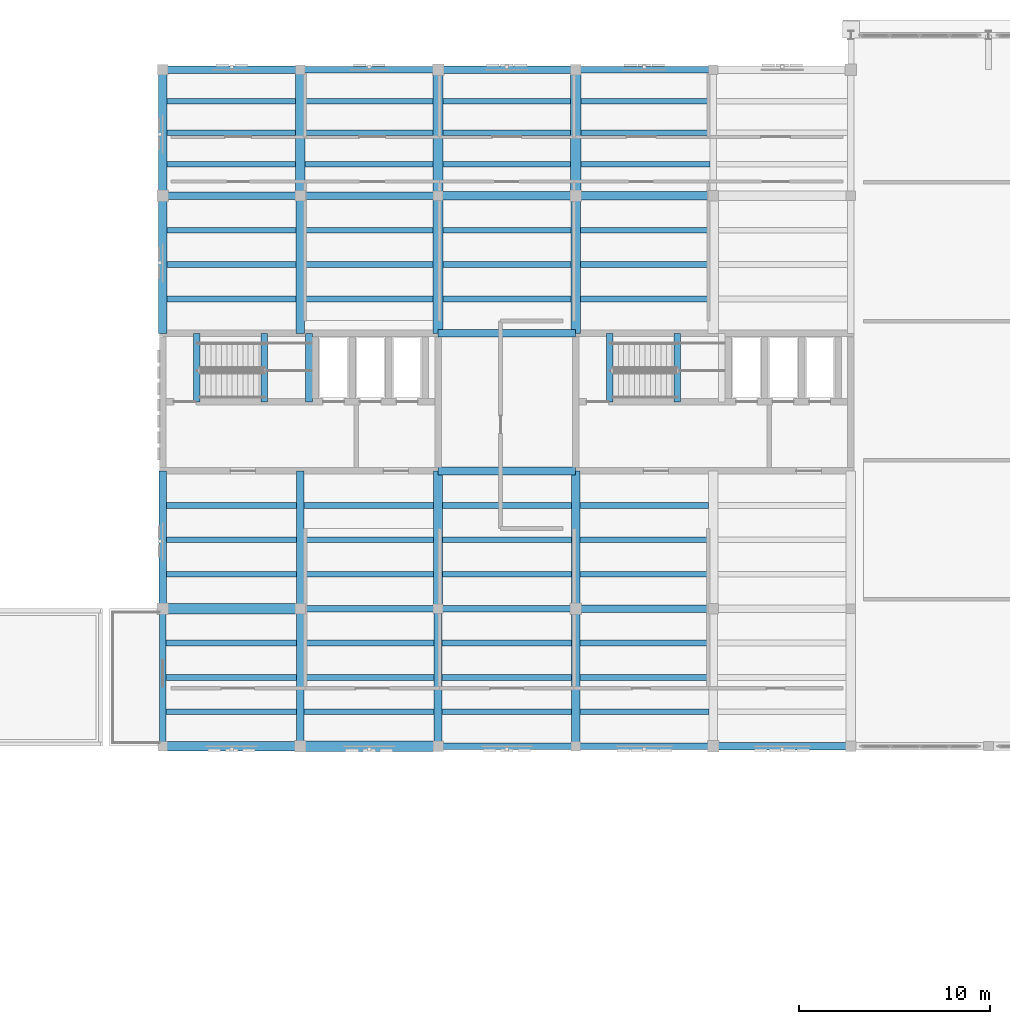
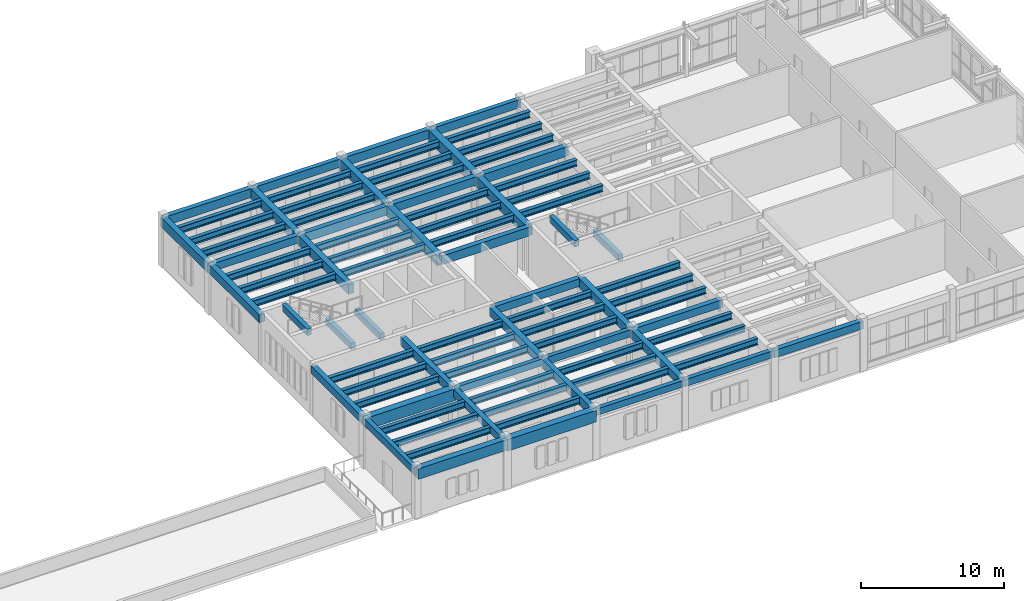
# One storey, part 3 of 18: 88 beams.
"""IFC4 building model written with IfcOpenShell, lengths in metres."""

from ifc_helpers import new_model, si_unit, direction, frame, origin, origin_2d, place, context, subcontext, project, spatial, rectangle, i_section, extrude, material, material_profile, profile_set, type_object, element, save


model = new_model("IFC4")

# Units and contexts
model_context = context("Model", 3, precision=1e-05, world=origin(), true_north=direction((0.0, 1.0)))
body_context = subcontext(model_context, "Body", "Model", "MODEL_VIEW")
ifc_project = project(units=[si_unit("LENGTHUNIT", "METRE"), si_unit("AREAUNIT", "SQUARE_METRE"), si_unit("VOLUMEUNIT", "CUBIC_METRE"), si_unit("PLANEANGLEUNIT", "RADIAN"), si_unit("MASSUNIT", "GRAM", prefix="KILO")], contexts=[model_context])

# Site, building, storey
site_placement = place(None, origin())
site = spatial("IfcSite", under=ifc_project, at=site_placement, CompositionType="ELEMENT")
building_placement = place(site_placement, origin())
building = spatial("IfcBuilding", under=site, at=building_placement, Name="Mithqara Police Headquarters", CompositionType="ELEMENT")
storey_placement = place(building_placement, frame((0.0, 0.0, 26.39990234375)))
storey = spatial("IfcBuildingStorey", under=building, at=storey_placement, Name="L06", CompositionType="ELEMENT", Elevation=26.39990234375)

# Beams
ifc_material_1 = material(Name="Steel S355JR", Category="steel")
ifc_material_profile_1 = material_profile(ifc_material_1, i_section(OverallWidth=0.300048828125, OverallDepth=0.550048828125, WebThickness=0.014892578125, FlangeThickness=0.029052734375, FilletRadius=0.027099609375, at=origin_2d()), Name="HEB 550")
ifc_profile_set_1 = profile_set([ifc_material_profile_1], Name="Steel S355JR")
beam_type_1 = type_object("IfcBeamType", Name="BEAM HEB550", PredefinedType="BEAM", material=ifc_profile_set_1)
for number, where, z_axis, x_axis, name in (
    (1, (108.77490234375, 80.39990234375, 3.945068359375), (1.0, 0.0, 0.0), (0.0, 1.0, 0.0), "L06 Composite Steel Joist 16-17/M.1"),
    (2, (108.77490234375, 82.199951171875, 3.945068359375), (1.0, 0.0, 0.0), (0.0, 1.0, 0.0), "L06 Composite Steel Joist 16-17/M.2"),
    (3, (108.77490234375, 84.0, 3.945068359375), (1.0, 0.0, 0.0), (0.0, 1.0, 0.0), "L06 Composite Steel Joist 16-17/M.3"),
):
    element("IfcBeam", number, at=place(storey_placement, frame(where, z_axis=z_axis, x_axis=x_axis)), inside=storey, type_object=beam_type_1, Name=name, PredefinedType="BEAM", context=body_context, shape_type="SweptSolid", body=[
        extrude(i_section(OverallWidth=0.300048828125, OverallDepth=0.550048828125, WebThickness=0.014892578125, FlangeThickness=0.029052734375, FilletRadius=0.027099609375, at=origin_2d()), origin(), (0.0, 0.0, 1.0), 6.8251953125),
    ])
for number, where, z_axis, x_axis, name in (
    (4, (108.800048828125, 87.60009765625, 3.945068359375), (1.0, 0.0, 0.0), (0.0, 1.0, 0.0), "L06 Composite Steel Joist 16-17/N.1"),
    (5, (108.800048828125, 89.39990234375, 3.945068359375), (1.0, 0.0, 0.0), (0.0, 1.0, 0.0), "L06 Composite Steel Joist 16-17/N.2"),
    (6, (108.800048828125, 91.199951171875, 3.945068359375), (1.0, 0.0, 0.0), (0.0, 1.0, 0.0), "L06 Composite Steel Joist 16-17/N.3"),
):
    element("IfcBeam", number, at=place(storey_placement, frame(where, z_axis=z_axis, x_axis=x_axis)), inside=storey, type_object=beam_type_1, Name=name, PredefinedType="BEAM", context=body_context, shape_type="SweptSolid", body=[
        extrude(i_section(OverallWidth=0.300048828125, OverallDepth=0.550048828125, WebThickness=0.014892578125, FlangeThickness=0.029052734375, FilletRadius=0.027099609375, at=origin_2d()), origin(), (0.0, 0.0, 1.0), 6.800048828125),
    ])
for number, where, z_axis, x_axis, name in (
    (7, (108.824951171875, 102.0, 3.945068359375), (1.0, 0.0, 0.0), (0.0, 1.0, 0.0), "L06 Composite Steel Joist 16-17/Q.1"),
    (8, (108.824951171875, 103.800048828125, 3.945068359375), (1.0, 0.0, 0.0), (0.0, 1.0, 0.0), "L06 Composite Steel Joist 16-17/Q.2"),
    (9, (108.824951171875, 105.60009765625, 3.945068359375), (1.0, 0.0, 0.0), (0.0, 1.0, 0.0), "L06 Composite Steel Joist 16-17/Q.3"),
):
    element("IfcBeam", number, at=place(storey_placement, frame(where, z_axis=z_axis, x_axis=x_axis)), inside=storey, type_object=beam_type_1, Name=name, PredefinedType="BEAM", context=body_context, shape_type="SweptSolid", body=[
        extrude(i_section(OverallWidth=0.300048828125, OverallDepth=0.550048828125, WebThickness=0.014892578125, FlangeThickness=0.029052734375, FilletRadius=0.027099609375, at=origin_2d()), origin(), (0.0, 0.0, 1.0), 6.75),
    ])
for number, where, z_axis, x_axis, name in (
    (10, (108.824951171875, 109.050048828125, 3.945068359375), (1.0, 0.0, 0.0), (0.0, 1.0, 0.0), "L06 Composite Steel Joist 16-17/R.1"),
    (11, (108.824951171875, 110.699951171875, 3.945068359375), (1.0, 0.0, 0.0), (0.0, 1.0, 0.0), "L06 Composite Steel Joist 16-17/R.2"),
    (12, (108.824951171875, 112.35009765625, 3.945068359375), (1.0, 0.0, 0.0), (0.0, 1.0, 0.0), "L06 Composite Steel Joist 16-17/R.3"),
):
    element("IfcBeam", number, at=place(storey_placement, frame(where, z_axis=z_axis, x_axis=x_axis)), inside=storey, type_object=beam_type_1, Name=name, PredefinedType="BEAM", context=body_context, shape_type="SweptSolid", body=[
        extrude(i_section(OverallWidth=0.300048828125, OverallDepth=0.550048828125, WebThickness=0.014892578125, FlangeThickness=0.029052734375, FilletRadius=0.027099609375, at=origin_2d()), origin(), (0.0, 0.0, 1.0), 6.72509765625),
    ])
for number, where, z_axis, x_axis, name in (
    (13, (116.0, 80.39990234375, 3.945068359375), (1.0, 0.0, 0.0), (0.0, 1.0, 0.0), "L06 Composite Steel Joist 17-18/M.1"),
    (14, (116.0, 82.199951171875, 3.945068359375), (1.0, 0.0, 0.0), (0.0, 1.0, 0.0), "L06 Composite Steel Joist 17-18/M.2"),
    (15, (116.0, 84.0, 3.945068359375), (1.0, 0.0, 0.0), (0.0, 1.0, 0.0), "L06 Composite Steel Joist 17-18/M.3"),
):
    element("IfcBeam", number, at=place(storey_placement, frame(where, z_axis=z_axis, x_axis=x_axis)), inside=storey, type_object=beam_type_1, Name=name, PredefinedType="BEAM", context=body_context, shape_type="SweptSolid", body=[
        extrude(i_section(OverallWidth=0.300048828125, OverallDepth=0.550048828125, WebThickness=0.014892578125, FlangeThickness=0.029052734375, FilletRadius=0.027099609375, at=origin_2d()), origin(), (0.0, 0.0, 1.0), 6.800048828125),
    ])
for number, where, z_axis, x_axis, name in (
    (16, (116.0, 87.60009765625, 3.945068359375), (1.0, 0.0, 0.0), (0.0, 1.0, 0.0), "L06 Composite Steel Joist 17-18/N.1"),
    (17, (116.0, 89.39990234375, 3.945068359375), (1.0, 0.0, 0.0), (0.0, 1.0, 0.0), "L06 Composite Steel Joist 17-18/N.2"),
    (18, (116.0, 91.199951171875, 3.945068359375), (1.0, 0.0, 0.0), (0.0, 1.0, 0.0), "L06 Composite Steel Joist 17-18/N.3"),
):
    element("IfcBeam", number, at=place(storey_placement, frame(where, z_axis=z_axis, x_axis=x_axis)), inside=storey, type_object=beam_type_1, Name=name, PredefinedType="BEAM", context=body_context, shape_type="SweptSolid", body=[
        extrude(i_section(OverallWidth=0.300048828125, OverallDepth=0.550048828125, WebThickness=0.014892578125, FlangeThickness=0.029052734375, FilletRadius=0.027099609375, at=origin_2d()), origin(), (0.0, 0.0, 1.0), 6.77490234375),
    ])
for number, where, z_axis, x_axis, name in (
    (19, (116.02490234375, 102.0, 3.945068359375), (1.0, 0.0, 0.0), (0.0, 1.0, 0.0), "L06 Composite Steel Joist 17-18/Q.1"),
    (20, (116.02490234375, 103.800048828125, 3.945068359375), (1.0, 0.0, 0.0), (0.0, 1.0, 0.0), "L06 Composite Steel Joist 17-18/Q.2"),
    (21, (116.02490234375, 105.60009765625, 3.945068359375), (1.0, 0.0, 0.0), (0.0, 1.0, 0.0), "L06 Composite Steel Joist 17-18/Q.3"),
):
    element("IfcBeam", number, at=place(storey_placement, frame(where, z_axis=z_axis, x_axis=x_axis)), inside=storey, type_object=beam_type_1, Name=name, PredefinedType="BEAM", context=body_context, shape_type="SweptSolid", body=[
        extrude(i_section(OverallWidth=0.300048828125, OverallDepth=0.550048828125, WebThickness=0.014892578125, FlangeThickness=0.029052734375, FilletRadius=0.027099609375, at=origin_2d()), origin(), (0.0, 0.0, 1.0), 6.72509765625),
    ])
for number, where, z_axis, x_axis, name in (
    (22, (116.050048828125, 109.050048828125, 3.945068359375), (1.0, 0.0, 0.0), (0.0, 1.0, 0.0), "L06 Composite Steel Joist 17-18/R.1"),
    (23, (116.050048828125, 110.699951171875, 3.945068359375), (1.0, 0.0, 0.0), (0.0, 1.0, 0.0), "L06 Composite Steel Joist 17-18/R.2"),
    (24, (116.050048828125, 112.35009765625, 3.945068359375), (1.0, 0.0, 0.0), (0.0, 1.0, 0.0), "L06 Composite Steel Joist 17-18/R.3"),
):
    element("IfcBeam", number, at=place(storey_placement, frame(where, z_axis=z_axis, x_axis=x_axis)), inside=storey, type_object=beam_type_1, Name=name, PredefinedType="BEAM", context=body_context, shape_type="SweptSolid", body=[
        extrude(i_section(OverallWidth=0.300048828125, OverallDepth=0.550048828125, WebThickness=0.014892578125, FlangeThickness=0.029052734375, FilletRadius=0.027099609375, at=origin_2d()), origin(), (0.0, 0.0, 1.0), 6.699951171875),
    ])
for number, where, z_axis, x_axis, name in (
    (25, (123.199951171875, 80.39990234375, 3.945068359375), (1.0, 0.0, 0.0), (0.0, 1.0, 0.0), "L06 Composite Steel Joist 18-19/M.1"),
    (26, (123.199951171875, 82.199951171875, 3.945068359375), (1.0, 0.0, 0.0), (0.0, 1.0, 0.0), "L06 Composite Steel Joist 18-19/M.2"),
    (27, (123.199951171875, 84.0, 3.945068359375), (1.0, 0.0, 0.0), (0.0, 1.0, 0.0), "L06 Composite Steel Joist 18-19/M.3"),
):
    element("IfcBeam", number, at=place(storey_placement, frame(where, z_axis=z_axis, x_axis=x_axis)), inside=storey, type_object=beam_type_1, Name=name, PredefinedType="BEAM", context=body_context, shape_type="SweptSolid", body=[
        extrude(i_section(OverallWidth=0.300048828125, OverallDepth=0.550048828125, WebThickness=0.014892578125, FlangeThickness=0.029052734375, FilletRadius=0.027099609375, at=origin_2d()), origin(), (0.0, 0.0, 1.0), 6.775146484375),
    ])
for number, where, z_axis, x_axis, name in (
    (28, (123.22509765625, 87.60009765625, 3.945068359375), (1.0, 0.0, 0.0), (0.0, 1.0, 0.0), "L06 Composite Steel Joist 18-19/N.1"),
    (29, (123.22509765625, 89.39990234375, 3.945068359375), (1.0, 0.0, 0.0), (0.0, 1.0, 0.0), "L06 Composite Steel Joist 18-19/N.2"),
    (30, (123.22509765625, 91.199951171875, 3.945068359375), (1.0, 0.0, 0.0), (0.0, 1.0, 0.0), "L06 Composite Steel Joist 18-19/N.3"),
):
    element("IfcBeam", number, at=place(storey_placement, frame(where, z_axis=z_axis, x_axis=x_axis)), inside=storey, type_object=beam_type_1, Name=name, PredefinedType="BEAM", context=body_context, shape_type="SweptSolid", body=[
        extrude(i_section(OverallWidth=0.300048828125, OverallDepth=0.550048828125, WebThickness=0.014892578125, FlangeThickness=0.029052734375, FilletRadius=0.027099609375, at=origin_2d()), origin(), (0.0, 0.0, 1.0), 6.75),
    ])
for number, where, z_axis, x_axis, name in (
    (31, (123.25, 102.0, 3.945068359375), (1.0, 0.0, 0.0), (0.0, 1.0, 0.0), "L06 Composite Steel Joist 18-19/Q.1"),
    (32, (123.25, 103.800048828125, 3.945068359375), (1.0, 0.0, 0.0), (0.0, 1.0, 0.0), "L06 Composite Steel Joist 18-19/Q.2"),
    (33, (123.25, 105.60009765625, 3.945068359375), (1.0, 0.0, 0.0), (0.0, 1.0, 0.0), "L06 Composite Steel Joist 18-19/Q.3"),
):
    element("IfcBeam", number, at=place(storey_placement, frame(where, z_axis=z_axis, x_axis=x_axis)), inside=storey, type_object=beam_type_1, Name=name, PredefinedType="BEAM", context=body_context, shape_type="SweptSolid", body=[
        extrude(i_section(OverallWidth=0.300048828125, OverallDepth=0.550048828125, WebThickness=0.014892578125, FlangeThickness=0.029052734375, FilletRadius=0.027099609375, at=origin_2d()), origin(), (0.0, 0.0, 1.0), 6.699951171875),
    ])
for number, where, z_axis, x_axis, name in (
    (34, (123.25, 109.050048828125, 3.945068359375), (1.0, 0.0, 0.0), (0.0, 1.0, 0.0), "L06 Composite Steel Joist 18-19/R.1"),
    (35, (123.25, 110.699951171875, 3.945068359375), (1.0, 0.0, 0.0), (0.0, 1.0, 0.0), "L06 Composite Steel Joist 18-19/R.2"),
    (36, (123.25, 112.35009765625, 3.945068359375), (1.0, 0.0, 0.0), (0.0, 1.0, 0.0), "L06 Composite Steel Joist 18-19/R.3"),
):
    element("IfcBeam", number, at=place(storey_placement, frame(where, z_axis=z_axis, x_axis=x_axis)), inside=storey, type_object=beam_type_1, Name=name, PredefinedType="BEAM", context=body_context, shape_type="SweptSolid", body=[
        extrude(i_section(OverallWidth=0.300048828125, OverallDepth=0.550048828125, WebThickness=0.014892578125, FlangeThickness=0.029052734375, FilletRadius=0.027099609375, at=origin_2d()), origin(), (0.0, 0.0, 1.0), 6.675048828125),
    ])
for number, where, z_axis, x_axis, name in (
    (37, (130.425048828125, 80.39990234375, 3.945068359375), (1.0, 0.0, 0.0), (0.0, 1.0, 0.0), "L06 Composite Steel Joist 19-20/M.1"),
    (38, (130.425048828125, 82.199951171875, 3.945068359375), (1.0, 0.0, 0.0), (0.0, 1.0, 0.0), "L06 Composite Steel Joist 19-20/M.2"),
    (39, (130.425048828125, 84.0, 3.945068359375), (1.0, 0.0, 0.0), (0.0, 1.0, 0.0), "L06 Composite Steel Joist 19-20/M.3"),
):
    element("IfcBeam", number, at=place(storey_placement, frame(where, z_axis=z_axis, x_axis=x_axis)), inside=storey, type_object=beam_type_1, Name=name, PredefinedType="BEAM", context=body_context, shape_type="SweptSolid", body=[
        extrude(i_section(OverallWidth=0.300048828125, OverallDepth=0.550048828125, WebThickness=0.014892578125, FlangeThickness=0.029052734375, FilletRadius=0.027099609375, at=origin_2d()), origin(), (0.0, 0.0, 1.0), 6.75),
    ])
for number, where, z_axis, x_axis, name in (
    (40, (130.425048828125, 87.60009765625, 3.945068359375), (1.0, 0.0, 0.0), (0.0, 1.0, 0.0), "L06 Composite Steel Joist 19-20/N.1"),
    (41, (130.425048828125, 89.39990234375, 3.945068359375), (1.0, 0.0, 0.0), (0.0, 1.0, 0.0), "L06 Composite Steel Joist 19-20/N.2"),
    (42, (130.425048828125, 91.199951171875, 3.945068359375), (1.0, 0.0, 0.0), (0.0, 1.0, 0.0), "L06 Composite Steel Joist 19-20/N.3"),
):
    element("IfcBeam", number, at=place(storey_placement, frame(where, z_axis=z_axis, x_axis=x_axis)), inside=storey, type_object=beam_type_1, Name=name, PredefinedType="BEAM", context=body_context, shape_type="SweptSolid", body=[
        extrude(i_section(OverallWidth=0.300048828125, OverallDepth=0.550048828125, WebThickness=0.014892578125, FlangeThickness=0.029052734375, FilletRadius=0.027099609375, at=origin_2d()), origin(), (0.0, 0.0, 1.0), 6.724853515625),
    ])
for number, where, z_axis, x_axis, name in (
    (43, (130.449951171875, 102.0, 3.945068359375), (1.0, 0.0, 0.0), (0.0, 1.0, 0.0), "L06 Composite Steel Joist 19-20/Q.1"),
    (44, (130.449951171875, 103.800048828125, 3.945068359375), (1.0, 0.0, 0.0), (0.0, 1.0, 0.0), "L06 Composite Steel Joist 19-20/Q.2"),
    (45, (130.449951171875, 105.60009765625, 3.945068359375), (1.0, 0.0, 0.0), (0.0, 1.0, 0.0), "L06 Composite Steel Joist 19-20/Q.3"),
):
    element("IfcBeam", number, at=place(storey_placement, frame(where, z_axis=z_axis, x_axis=x_axis)), inside=storey, type_object=beam_type_1, Name=name, PredefinedType="BEAM", context=body_context, shape_type="SweptSolid", body=[
        extrude(i_section(OverallWidth=0.300048828125, OverallDepth=0.550048828125, WebThickness=0.014892578125, FlangeThickness=0.029052734375, FilletRadius=0.027099609375, at=origin_2d()), origin(), (0.0, 0.0, 1.0), 6.675048828125),
    ])
for number, where, z_axis, x_axis, name in (
    (46, (130.47509765625, 109.050048828125, 3.945068359375), (1.0, 0.0, 0.0), (0.0, 1.0, 0.0), "L06 Composite Steel Joist 19-20/R.1"),
    (47, (130.47509765625, 110.699951171875, 3.945068359375), (1.0, 0.0, 0.0), (0.0, 1.0, 0.0), "L06 Composite Steel Joist 19-20/R.2"),
    (48, (130.47509765625, 112.35009765625, 3.945068359375), (1.0, 0.0, 0.0), (0.0, 1.0, 0.0), "L06 Composite Steel Joist 19-20/R.3"),
):
    element("IfcBeam", number, at=place(storey_placement, frame(where, z_axis=z_axis, x_axis=x_axis)), inside=storey, type_object=beam_type_1, Name=name, PredefinedType="BEAM", context=body_context, shape_type="SweptSolid", body=[
        extrude(i_section(OverallWidth=0.300048828125, OverallDepth=0.550048828125, WebThickness=0.014892578125, FlangeThickness=0.029052734375, FilletRadius=0.027099609375, at=origin_2d()), origin(), (0.0, 0.0, 1.0), 6.75),
    ])
ifc_material_2 = material(Name="Concrete C40/50", Category="concrete")
ifc_material_profile_2 = material_profile(ifc_material_2, rectangle(XDim=0.35009765625, YDim=0.550048828125, at=origin_2d()), Name="RC 350x550")
ifc_profile_set_2 = profile_set([ifc_material_profile_2], Name="Concrete C40/50")
beam_type_2 = type_object("IfcBeamType", Name="BEAM RC350X550", PredefinedType="BEAM", material=ifc_profile_set_2)
for number, where, z_axis, x_axis, name in (
    (49, (115.800048828125, 85.800048828125, 3.945068359375), (1.0, 0.0, 0.0), (0.0, 1.0, 0.0), "L06 Girder 17-18/N"),
    (50, (123.0, 78.60009765625, 3.945068359375), (1.0, 0.0, 0.0), (0.0, 1.0, 0.0), "L06 Girder 18-19/M"),
):
    element("IfcBeam", number, at=place(storey_placement, frame(where, z_axis=z_axis, x_axis=x_axis)), inside=storey, type_object=beam_type_2, Name=name, PredefinedType="BEAM", context=body_context, shape_type="SweptSolid", body=[
        extrude(rectangle(XDim=0.35009765625, YDim=0.550048828125, at=origin_2d()), origin(), (0.0, 0.0, 1.0), 7.199951171875),
    ])
for number, where, z_axis, x_axis, name in (
    (51, (113.909912109375, 96.6201171875, 1.78515625), (0.0, 1.0, 0.0), (-1.0, 0.0, 0.0), "L06 ST-01 Half-Landing Bearer LF"),
    (52, (116.25, 96.6201171875, 1.78515625), (0.0, 1.0, 0.0), (-1.0, 0.0, 0.0), "L06 ST-01 Half-Landing Bearer LB"),
    (53, (110.376953125, 96.6201171875, 4.22509765625), (0.0, 1.0, 0.0), (-1.0, 0.0, 0.0), "L06 ST-01 Stairwell Trimmer Beam"),
    (54, (135.510009765625, 96.6201171875, 1.78515625), (0.0, 1.0, 0.0), (-1.0, 0.0, 0.0), "L06 ST-02 Half-Landing Bearer LF"),
    (55, (131.97705078125, 96.6201171875, 4.22509765625), (0.0, 1.0, 0.0), (-1.0, 0.0, 0.0), "L06 ST-02 Stairwell Trimmer Beam"),
):
    element("IfcBeam", number, at=place(storey_placement, frame(where, z_axis=z_axis, x_axis=x_axis)), inside=storey, type_object=beam_type_2, Name=name, PredefinedType="BEAM", context=body_context, shape_type="SweptSolid", body=[
        extrude(rectangle(XDim=0.35009765625, YDim=0.550048828125, at=origin_2d()), origin(), (0.0, 0.0, 1.0), 3.579833984375),
    ])
ifc_material_profile_3 = material_profile(ifc_material_2, rectangle(XDim=0.35009765625, YDim=0.60009765625, at=origin_2d()), Name="RC 350x600")
ifc_profile_set_3 = profile_set([ifc_material_profile_3], Name="Concrete C40/50")
beam_type_3 = type_object("IfcBeamType", Name="BEAM RC350X600", PredefinedType="BEAM", material=ifc_profile_set_3)
for number, where, z_axis, x_axis, name in (
    (56, (108.60009765625, 78.60009765625, 3.920166015625), (0.0, 1.0, 0.0), (-1.0, 0.0, 0.0), "L06 Girder 16/M-N"),
    (57, (123.0, 85.800048828125, 3.920166015625), (1.0, 0.0, 0.0), (0.0, 1.0, 0.0), "L06 Girder 18-19/N"),
    (58, (130.199951171875, 78.60009765625, 3.920166015625), (1.0, 0.0, 0.0), (0.0, 1.0, 0.0), "L06 Girder 19-20/M"),
):
    element("IfcBeam", number, at=place(storey_placement, frame(where, z_axis=z_axis, x_axis=x_axis)), inside=storey, type_object=beam_type_3, Name=name, PredefinedType="BEAM", context=body_context, shape_type="SweptSolid", body=[
        extrude(rectangle(XDim=0.35009765625, YDim=0.60009765625, at=origin_2d()), origin(), (0.0, 0.0, 1.0), 7.199951171875),
    ])
ifc_material_profile_4 = material_profile(ifc_material_2, rectangle(XDim=0.39990234375, YDim=0.64990234375, at=origin_2d()), Name="RC 400x650")
ifc_profile_set_4 = profile_set([ifc_material_profile_4], Name="Concrete C40/50")
beam_type_4 = type_object("IfcBeamType", Name="BEAM RC400X650", PredefinedType="BEAM", material=ifc_profile_set_4)
for number, where, z_axis, x_axis, name in (
    (59, (108.60009765625, 85.800048828125, 3.89501953125), (0.0, 1.0, 0.0), (-1.0, 0.0, 0.0), "L06 Girder 16/N-P"),
    (60, (108.60009765625, 107.39990234375, 3.89501953125), (1.0, 0.0, 0.0), (0.0, 1.0, 0.0), "L06 Girder 16-17/R"),
    (61, (115.800048828125, 78.60009765625, 3.89501953125), (0.0, 1.0, 0.0), (-1.0, 0.0, 0.0), "L06 Girder 17/M-N"),
    (62, (123.0, 93.0, 3.89501953125), (1.0, 0.0, 0.0), (0.0, 1.0, 0.0), "L06 Girder 18-19/P"),
    (63, (130.199951171875, 85.800048828125, 3.89501953125), (1.0, 0.0, 0.0), (0.0, 1.0, 0.0), "L06 Girder 19-20/N"),
):
    element("IfcBeam", number, at=place(storey_placement, frame(where, z_axis=z_axis, x_axis=x_axis)), inside=storey, type_object=beam_type_4, Name=name, PredefinedType="BEAM", context=body_context, shape_type="SweptSolid", body=[
        extrude(rectangle(XDim=0.39990234375, YDim=0.64990234375, at=origin_2d()), origin(), (0.0, 0.0, 1.0), 7.199951171875),
    ])
beam_1_placement = place(storey_placement, frame((137.39990234375, 78.60009765625, 3.89501953125), z_axis=(1.0, 0.0, 0.0), x_axis=(0.0, 1.0, 0.0)))
element("IfcBeam", 64, at=beam_1_placement, inside=storey, type_object=beam_type_4, Name="L06 Girder 20-21/M", PredefinedType="BEAM", context=body_context, shape_type="SweptSolid", body=[
    extrude(rectangle(XDim=0.39990234375, YDim=0.64990234375, at=origin_2d()), origin(), (0.0, 0.0, 1.0), 7.2001953125),
])
ifc_material_profile_5 = material_profile(ifc_material_2, rectangle(XDim=0.39990234375, YDim=0.75, at=origin_2d()), Name="RC 400x750")
ifc_profile_set_5 = profile_set([ifc_material_profile_5], Name="Concrete C40/50")
beam_type_5 = type_object("IfcBeamType", Name="BEAM RC400X750", PredefinedType="BEAM", material=ifc_profile_set_5)
for number, where, z_axis, x_axis, name in (
    (65, (115.800048828125, 85.800048828125, 3.84521484375), (0.0, 1.0, 0.0), (-1.0, 0.0, 0.0), "L06 Girder 17/N-P"),
    (66, (115.800048828125, 107.39990234375, 3.84521484375), (1.0, 0.0, 0.0), (0.0, 1.0, 0.0), "L06 Girder 17-18/R"),
    (67, (123.0, 78.60009765625, 3.84521484375), (0.0, 1.0, 0.0), (-1.0, 0.0, 0.0), "L06 Girder 18/M-N"),
    (68, (123.0, 100.199951171875, 3.84521484375), (1.0, 0.0, 0.0), (0.0, 1.0, 0.0), "L06 Girder 18-19/Q"),
):
    element("IfcBeam", number, at=place(storey_placement, frame(where, z_axis=z_axis, x_axis=x_axis)), inside=storey, type_object=beam_type_5, Name=name, PredefinedType="BEAM", context=body_context, shape_type="SweptSolid", body=[
        extrude(rectangle(XDim=0.39990234375, YDim=0.75, at=origin_2d()), origin(), (0.0, 0.0, 1.0), 7.199951171875),
    ])
ifc_material_profile_6 = material_profile(ifc_material_2, rectangle(XDim=0.449951171875, YDim=0.699951171875, at=origin_2d()), Name="RC 450x700")
ifc_profile_set_6 = profile_set([ifc_material_profile_6], Name="Concrete C40/50")
beam_type_6 = type_object("IfcBeamType", Name="BEAM RC450X700", PredefinedType="BEAM", material=ifc_profile_set_6)
for number, where, z_axis, x_axis, name in (
    (69, (108.60009765625, 100.199951171875, 3.8701171875), (0.0, 1.0, 0.0), (-1.0, 0.0, 0.0), "L06 Girder 16/Q-R"),
    (70, (123.0, 85.800048828125, 3.8701171875), (0.0, 1.0, 0.0), (-1.0, 0.0, 0.0), "L06 Girder 18/N-P"),
    (71, (123.0, 107.39990234375, 3.8701171875), (1.0, 0.0, 0.0), (0.0, 1.0, 0.0), "L06 Girder 18-19/R"),
    (72, (130.199951171875, 78.60009765625, 3.8701171875), (0.0, 1.0, 0.0), (-1.0, 0.0, 0.0), "L06 Girder 19/M-N"),
):
    element("IfcBeam", number, at=place(storey_placement, frame(where, z_axis=z_axis, x_axis=x_axis)), inside=storey, type_object=beam_type_6, Name=name, PredefinedType="BEAM", context=body_context, shape_type="SweptSolid", body=[
        extrude(rectangle(XDim=0.449951171875, YDim=0.699951171875, at=origin_2d()), origin(), (0.0, 0.0, 1.0), 7.199951171875),
    ])
ifc_material_profile_7 = material_profile(ifc_material_2, rectangle(XDim=0.449951171875, YDim=0.800048828125, at=origin_2d()), Name="RC 450x800")
ifc_profile_set_7 = profile_set([ifc_material_profile_7], Name="Concrete C40/50")
beam_type_7 = type_object("IfcBeamType", Name="BEAM RC450X800", PredefinedType="BEAM", material=ifc_profile_set_7)
beam_2_placement = place(storey_placement, frame((108.60009765625, 107.39990234375, 3.820068359375), z_axis=(0.0, 1.0, 0.0), x_axis=(-1.0, 0.0, 0.0)))
element("IfcBeam", 73, at=beam_2_placement, inside=storey, type_object=beam_type_7, Name="L06 Girder 16/R-S", PredefinedType="BEAM", context=body_context, shape_type="SweptSolid", body=[
    extrude(rectangle(XDim=0.449951171875, YDim=0.800048828125, at=origin_2d()), origin(), (0.0, 0.0, 1.0), 6.60009765625),
])
for number, where, z_axis, x_axis, name in (
    (74, (115.800048828125, 100.199951171875, 3.820068359375), (0.0, 1.0, 0.0), (-1.0, 0.0, 0.0), "L06 Girder 17/Q-R"),
    (75, (130.199951171875, 85.800048828125, 3.820068359375), (0.0, 1.0, 0.0), (-1.0, 0.0, 0.0), "L06 Girder 19/N-P"),
    (76, (130.199951171875, 107.39990234375, 3.820068359375), (1.0, 0.0, 0.0), (0.0, 1.0, 0.0), "L06 Girder 19-20/R"),
):
    element("IfcBeam", number, at=place(storey_placement, frame(where, z_axis=z_axis, x_axis=x_axis)), inside=storey, type_object=beam_type_7, Name=name, PredefinedType="BEAM", context=body_context, shape_type="SweptSolid", body=[
        extrude(rectangle(XDim=0.449951171875, YDim=0.800048828125, at=origin_2d()), origin(), (0.0, 0.0, 1.0), 7.199951171875),
    ])
ifc_material_profile_8 = material_profile(ifc_material_2, rectangle(XDim=0.5, YDim=0.85009765625, at=origin_2d()), Name="RC 500x850")
ifc_profile_set_8 = profile_set([ifc_material_profile_8], Name="Concrete C40/50")
beam_type_8 = type_object("IfcBeamType", Name="BEAM RC500X850", PredefinedType="BEAM", material=ifc_profile_set_8)
beam_3_placement = place(storey_placement, frame((115.800048828125, 107.39990234375, 3.795166015625), z_axis=(0.0, 1.0, 0.0), x_axis=(-1.0, 0.0, 0.0)))
element("IfcBeam", 77, at=beam_3_placement, inside=storey, type_object=beam_type_8, Name="L06 Girder 17/R-S", PredefinedType="BEAM", context=body_context, shape_type="SweptSolid", body=[
    extrude(rectangle(XDim=0.5, YDim=0.85009765625, at=origin_2d()), origin(), (0.0, 0.0, 1.0), 6.60009765625),
])
beam_4_placement = place(storey_placement, frame((123.0, 100.199951171875, 3.795166015625), z_axis=(0.0, 1.0, 0.0), x_axis=(-1.0, 0.0, 0.0)))
element("IfcBeam", 78, at=beam_4_placement, inside=storey, type_object=beam_type_8, Name="L06 Girder 18/Q-R", PredefinedType="BEAM", context=body_context, shape_type="SweptSolid", body=[
    extrude(rectangle(XDim=0.5, YDim=0.85009765625, at=origin_2d()), origin(), (0.0, 0.0, 1.0), 7.199951171875),
])
ifc_material_3 = material(Name="Concrete C50/60", Category="concrete")
ifc_material_profile_9 = material_profile(ifc_material_3, rectangle(XDim=0.5, YDim=0.89990234375, at=origin_2d()), Name="RC 500x900")
ifc_profile_set_9 = profile_set([ifc_material_profile_9], Name="Concrete C50/60")
beam_type_9 = type_object("IfcBeamType", Name="BEAM RC500X900", PredefinedType="BEAM", material=ifc_profile_set_9)
beam_5_placement = place(storey_placement, frame((108.60009765625, 78.60009765625, 3.77001953125), z_axis=(1.0, 0.0, 0.0), x_axis=(0.0, 1.0, 0.0)))
element("IfcBeam", 79, at=beam_5_placement, inside=storey, type_object=beam_type_9, Name="L06 Girder 16-17/M", PredefinedType="BEAM", context=body_context, shape_type="SweptSolid", body=[
    extrude(rectangle(XDim=0.5, YDim=0.89990234375, at=origin_2d()), origin(), (0.0, 0.0, 1.0), 7.199951171875),
])
beam_6_placement = place(storey_placement, frame((123.0, 107.39990234375, 3.77001953125), z_axis=(0.0, 1.0, 0.0), x_axis=(-1.0, 0.0, 0.0)))
element("IfcBeam", 80, at=beam_6_placement, inside=storey, type_object=beam_type_9, Name="L06 Girder 18/R-S", PredefinedType="BEAM", context=body_context, shape_type="SweptSolid", body=[
    extrude(rectangle(XDim=0.5, YDim=0.89990234375, at=origin_2d()), origin(), (0.0, 0.0, 1.0), 6.60009765625),
])
beam_7_placement = place(storey_placement, frame((130.199951171875, 100.199951171875, 3.77001953125), z_axis=(0.0, 1.0, 0.0), x_axis=(-1.0, 0.0, 0.0)))
element("IfcBeam", 81, at=beam_7_placement, inside=storey, type_object=beam_type_9, Name="L06 Girder 19/Q-R", PredefinedType="BEAM", context=body_context, shape_type="SweptSolid", body=[
    extrude(rectangle(XDim=0.5, YDim=0.89990234375, at=origin_2d()), origin(), (0.0, 0.0, 1.0), 7.199951171875),
])
ifc_material_profile_10 = material_profile(ifc_material_3, rectangle(XDim=0.550048828125, YDim=1.0, at=origin_2d()), Name="RC 550x1000")
ifc_profile_set_10 = profile_set([ifc_material_profile_10], Name="Concrete C50/60")
beam_type_10 = type_object("IfcBeamType", Name="BEAM RC550X1000", PredefinedType="BEAM", material=ifc_profile_set_10)
for number, where, z_axis, x_axis, name in (
    (82, (108.60009765625, 85.800048828125, 3.72021484375), (1.0, 0.0, 0.0), (0.0, 1.0, 0.0), "L06 Girder 16-17/N"),
    (83, (115.800048828125, 78.60009765625, 3.72021484375), (1.0, 0.0, 0.0), (0.0, 1.0, 0.0), "L06 Girder 17-18/M"),
):
    element("IfcBeam", number, at=place(storey_placement, frame(where, z_axis=z_axis, x_axis=x_axis)), inside=storey, type_object=beam_type_10, Name=name, PredefinedType="BEAM", context=body_context, shape_type="SweptSolid", body=[
        extrude(rectangle(XDim=0.550048828125, YDim=1.0, at=origin_2d()), origin(), (0.0, 0.0, 1.0), 7.199951171875),
    ])
beam_8_placement = place(storey_placement, frame((130.199951171875, 107.39990234375, 3.72021484375), z_axis=(0.0, 1.0, 0.0), x_axis=(-1.0, 0.0, 0.0)))
element("IfcBeam", 84, at=beam_8_placement, inside=storey, type_object=beam_type_10, Name="L06 Girder 19/R-S", PredefinedType="BEAM", context=body_context, shape_type="SweptSolid", body=[
    extrude(rectangle(XDim=0.550048828125, YDim=1.0, at=origin_2d()), origin(), (0.0, 0.0, 1.0), 6.60009765625),
])
ifc_material_profile_11 = material_profile(ifc_material_2, rectangle(XDim=0.35009765625, YDim=0.699951171875, at=origin_2d()), Name="SPB 350x700")
ifc_profile_set_11 = profile_set([ifc_material_profile_11], Name="Concrete C40/50")
beam_type_11 = type_object("IfcBeamType", Name="SPANDREL 350X700", PredefinedType="SPANDREL", material=ifc_profile_set_11)
for number, where, z_axis, x_axis, name in (
    (85, (115.800048828125, 114.0, 3.8701171875), (1.0, 0.0, 0.0), (0.0, 1.0, 0.0), "L06 Girder 17-18/S"),
    (86, (130.199951171875, 114.0, 3.8701171875), (1.0, 0.0, 0.0), (0.0, 1.0, 0.0), "L06 Girder 19-20/S"),
):
    element("IfcBeam", number, at=place(storey_placement, frame(where, z_axis=z_axis, x_axis=x_axis)), inside=storey, type_object=beam_type_11, Name=name, PredefinedType="SPANDREL", context=body_context, shape_type="SweptSolid", body=[
        extrude(rectangle(XDim=0.35009765625, YDim=0.699951171875, at=origin_2d()), origin(), (0.0, 0.0, 1.0), 7.199951171875),
    ])
ifc_material_profile_12 = material_profile(ifc_material_2, rectangle(XDim=0.39990234375, YDim=0.75, at=origin_2d()), Name="SPB 400x750")
ifc_profile_set_12 = profile_set([ifc_material_profile_12], Name="Concrete C40/50")
beam_type_12 = type_object("IfcBeamType", Name="SPANDREL 400X750", PredefinedType="SPANDREL", material=ifc_profile_set_12)
for number, where, z_axis, x_axis, name in (
    (87, (108.60009765625, 114.0, 3.84521484375), (1.0, 0.0, 0.0), (0.0, 1.0, 0.0), "L06 Girder 16-17/S"),
    (88, (123.0, 114.0, 3.84521484375), (1.0, 0.0, 0.0), (0.0, 1.0, 0.0), "L06 Girder 18-19/S"),
):
    element("IfcBeam", number, at=place(storey_placement, frame(where, z_axis=z_axis, x_axis=x_axis)), inside=storey, type_object=beam_type_12, Name=name, PredefinedType="SPANDREL", context=body_context, shape_type="SweptSolid", body=[
        extrude(rectangle(XDim=0.39990234375, YDim=0.75, at=origin_2d()), origin(), (0.0, 0.0, 1.0), 7.199951171875),
    ])

save(model, "model.ifc")
